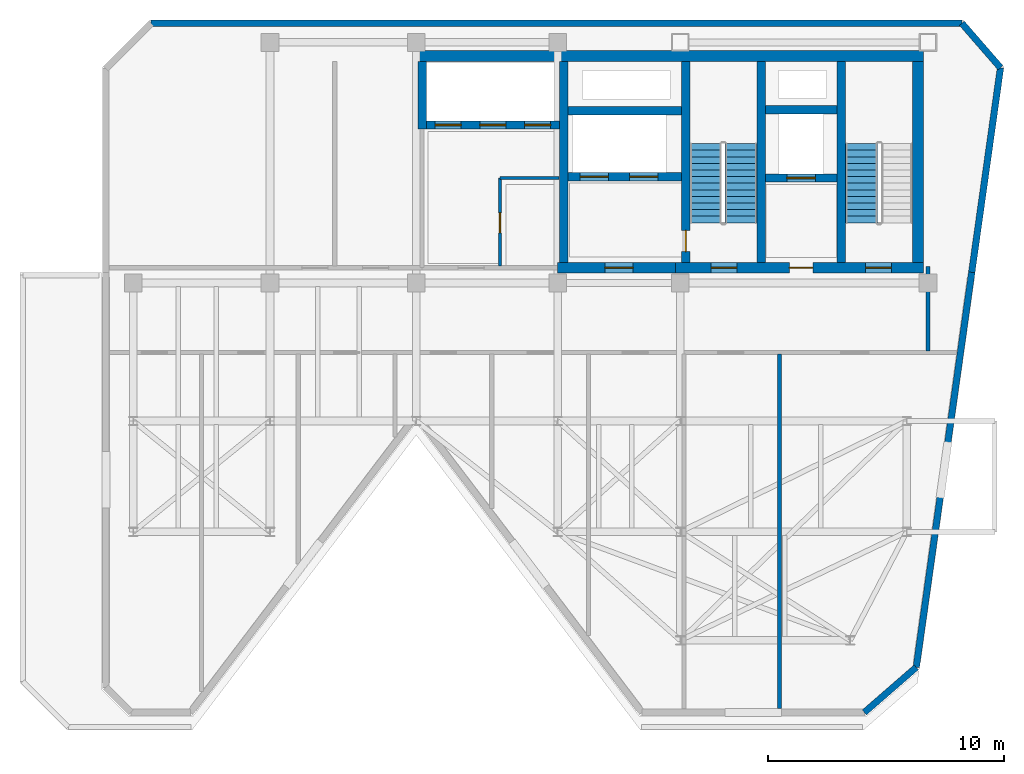
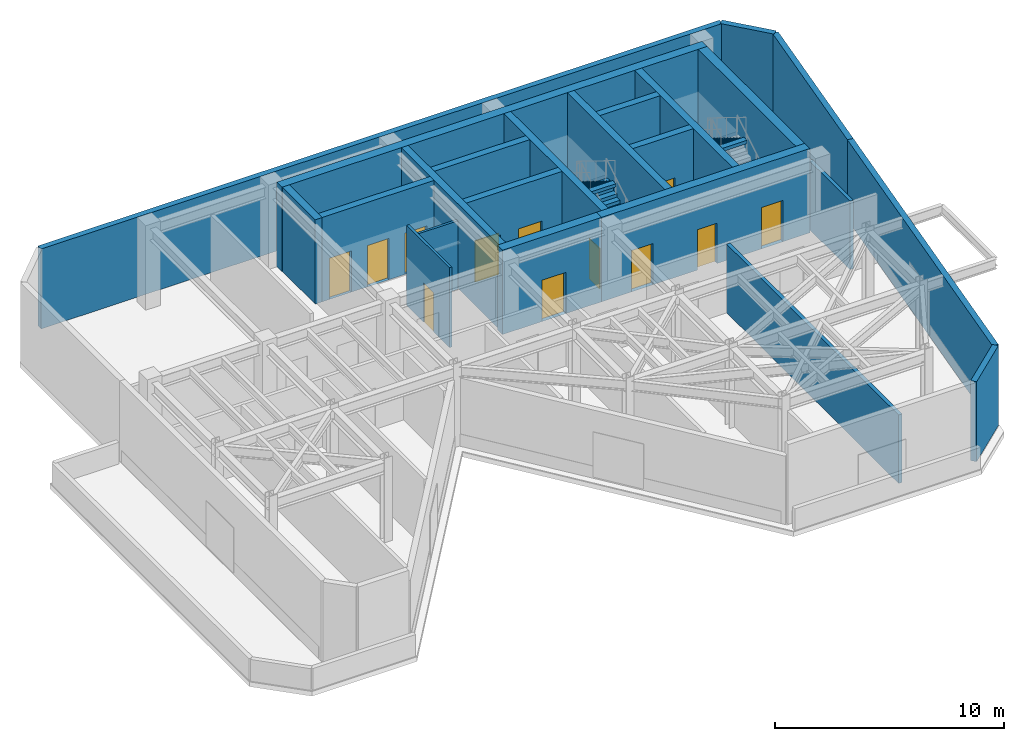
# One storey, part 3 of 6: 23 walls, 12 doors, 3 stair flights, 12 openings, 2 elements without a shape of their own.
"""IFC4 building model written with IfcOpenShell, lengths in metres."""

from ifc_helpers import new_model, si_unit, direction, frame, frame_2d, origin, place, context, subcontext, project, spatial, polyline, rectangle, outline, extrude, material, layer, layer_set, type_object, element, fill, aggregate, save


model = new_model("IFC4")

# Units and contexts
model_context = context("Model", 3, precision=1e-05, world=origin(), true_north=direction((0.0, 1.0)))
body_context = subcontext(model_context, "Body", "Model", "MODEL_VIEW")
ifc_project = project(units=[si_unit("LENGTHUNIT", "METRE"), si_unit("AREAUNIT", "SQUARE_METRE"), si_unit("VOLUMEUNIT", "CUBIC_METRE"), si_unit("PLANEANGLEUNIT", "RADIAN"), si_unit("MASSUNIT", "GRAM", prefix="KILO")], contexts=[model_context])

# Site, building, storey
site_placement = place(None, origin())
site = spatial("IfcSite", under=ifc_project, at=site_placement, CompositionType="ELEMENT")
building_placement = place(site_placement, origin())
building = spatial("IfcBuilding", under=site, at=building_placement, Name="Kravanh Interchange Tower", CompositionType="ELEMENT")
storey_placement = place(building_placement, frame((0.0, 0.0, 277.800048828125)))
storey = spatial("IfcBuildingStorey", under=building, at=storey_placement, Name="L68", CompositionType="ELEMENT", Elevation=277.800048828125)

# Wall, opening, door
ifc_material_1 = material(Name="Double Acoustic Gypsum Board and Mineral Wool")
ifc_layer_1 = layer(ifc_material_1, 0.1201171875)
ifc_layer_set_1 = layer_set([ifc_layer_1], Name="Acoustic Office Drywall Partition 120mm")
wall_type_1 = type_object("IfcWallType", Name="Acoustic Office Drywall Partition 120mm", PredefinedType="PARTITIONING", material=ifc_layer_set_1)
wall_1_placement = place(storey_placement, frame((48.35009765625, 38.068115234375, 0.0), z_axis=(0.0, 0.0, 1.0), x_axis=(0.0, 1.0, 0.0)))
wall_1 = element("IfcWall", 1, at=wall_1_placement, inside=storey, type_object=wall_type_1, Name="L68 Interior Partition 2", PredefinedType="PARTITIONING", context=body_context, shape_type="SweptSolid", body=[
    extrude(rectangle(XDim=3.73193359375, YDim=0.1201171875, at=frame_2d((1.865966796875, 0.0))), origin(), (0.0, 0.0, 1.0), 4.264892578125),
])
opening_1_placement = place(wall_1_placement, frame((1.406982421875, 0.0, 0.0)))
opening_1 = element("IfcOpeningElement", 2, at=opening_1_placement, cuts=wall_1, Name="Opening D-85", PredefinedType="OPENING", context=body_context, shape_type="SweptSolid", body=[
    extrude(rectangle(XDim=0.85009765625, YDim=2.10009765625, at=frame_2d((0.425048828125, 1.050048828125))), frame((0.0, 0.070068359375, 0.0), z_axis=(0.0, -1.0, 0.0), x_axis=(1.0, 0.0, 0.0)), (0.0, 0.0, 1.0), 0.14013671875),
])
ifc_material_2 = material(Name="Engineered Teak Veneer Timber", Category="wood")
door_type_1 = type_object("IfcDoorType", Name="En-Suite Timber Door 850x2100", OperationType="NOTDEFINED", PredefinedType="DOOR", material=ifc_material_2)
door_1_placement = place(opening_1_placement, origin())
door_1 = element("IfcDoor", 3, at=door_1_placement, inside=storey, type_object=door_type_1, Name="L68 Core Electrical Closet Door", OperationType="SINGLE_SWING_RIGHT", OverallHeight=2.10009765625, OverallWidth=0.85009765625, PredefinedType="DOOR", context=body_context, shape_type="SweptSolid", body=[
    extrude(rectangle(XDim=0.85009765625, YDim=2.10009765625, at=frame_2d((0.425048828125, 1.050048828125))), frame((0.0, 0.02490234375, 0.0), z_axis=(0.0, -1.0, 0.0), x_axis=(1.0, 0.0, 0.0)), (0.0, 0.0, 1.0), 0.050048828125),
])
fill(opening_1, door_1)

# Walls
wall_2_placement = place(storey_placement, frame((48.35009765625, 41.800048828125, 0.0), z_axis=(0.0, 0.0, 1.0), x_axis=(1.0, 0.0, 0.0)))
element("IfcWall", 4, at=wall_2_placement, inside=storey, type_object=wall_type_1, Name="L68 Interior Partition 3", PredefinedType="PARTITIONING", context=body_context, shape_type="SweptSolid", body=[
    extrude(rectangle(XDim=2.5, YDim=0.1201171875, at=frame_2d((1.25, 0.0))), origin(), (0.0, 0.0, 1.0), 3.654052734375),
])
ifc_material_3 = material(Name="Concrete C60/75", Category="concrete")
ifc_layer_2 = layer(ifc_material_3, 0.35009765625)
ifc_layer_set_2 = layer_set([ifc_layer_2], Name="Core Shear Wall Concrete C60/75 350mm")
wall_type_2 = type_object("IfcWallType", Name="Core Shear Wall Concrete C60/75 350mm", PredefinedType="SHEAR", material=ifc_layer_set_2)
for number, where, z_axis, x_axis, name in (
    (5, (62.824951171875, 38.22509765625, 0.0), (0.0, 0.0, 1.0), (0.0, 1.0, 0.0), "L68 Stair ST1 West Shear Wall"),
    (6, (59.425048828125, 38.22509765625, 0.0), (0.0, 0.0, 1.0), (0.0, 1.0, 0.0), "L68 Stair ST2 East Shear Wall"),
):
    element("IfcWall", number, at=place(storey_placement, frame(where, z_axis=z_axis, x_axis=x_axis)), inside=storey, type_object=wall_type_2, Name=name, PredefinedType="SHEAR", context=body_context, shape_type="SweptSolid", body=[
        extrude(rectangle(XDim=8.52490234375, YDim=0.35009765625, at=frame_2d((4.262451171875, 0.0))), origin(), (0.0, 0.0, 1.0), 4.5),
    ])

# Wall, opening, door
wall_3_placement = place(storey_placement, frame((56.22509765625, 38.22509765625, 0.0), z_axis=(0.0, 0.0, 1.0), x_axis=(0.0, 1.0, 0.0)))
wall_3 = element("IfcWall", 7, at=wall_3_placement, inside=storey, type_object=wall_type_2, Name="L68 Stair ST2 West Shear Wall", PredefinedType="SHEAR", context=body_context, shape_type="SweptSolid", body=[
    extrude(rectangle(XDim=8.52490234375, YDim=0.35009765625, at=frame_2d((4.262451171875, 0.0))), origin(), (0.0, 0.0, 1.0), 4.5),
])
opening_2_placement = place(wall_3_placement, frame((0.455078125, 0.0, 0.0)))
opening_2 = element("IfcOpeningElement", 8, at=opening_2_placement, cuts=wall_3, Name="Opening D-STAIR-90", PredefinedType="OPENING", context=body_context, shape_type="SweptSolid", body=[
    extrude(rectangle(XDim=0.89990234375, YDim=2.14990234375, at=frame_2d((0.449951171875, 1.074951171875))), frame((0.0, 0.18505859375, 0.0), z_axis=(0.0, -1.0, 0.0), x_axis=(1.0, 0.0, 0.0)), (0.0, 0.0, 1.0), 0.3701171875),
])
ifc_material_4 = material(Name="Structural Steel S355", Category="steel")
door_type_2 = type_object("IfcDoorType", Name="Fire-Rated Stair Lobby Door 900x2150", OperationType="NOTDEFINED", PredefinedType="DOOR", material=ifc_material_4)
door_2_placement = place(opening_2_placement, origin())
door_2 = element("IfcDoor", 9, at=door_2_placement, inside=storey, type_object=door_type_2, Name="L68 Firefighting Lobby to Stair ST2 Door", OperationType="SINGLE_SWING_LEFT", OverallHeight=2.14990234375, OverallWidth=0.89990234375, PredefinedType="DOOR", context=body_context, shape_type="SweptSolid", body=[
    extrude(rectangle(XDim=0.89990234375, YDim=2.14990234375, at=frame_2d((0.449951171875, 1.074951171875))), frame((0.0, 0.02490234375, 0.0), z_axis=(0.0, -1.0, 0.0), x_axis=(1.0, 0.0, 0.0)), (0.0, 0.0, 1.0), 0.050048828125),
])
fill(opening_2, door_2)

wall_4_placement = place(storey_placement, frame((59.60009765625, 41.800048828125, 0.0), z_axis=(0.0, 0.0, 1.0), x_axis=(1.0, 0.0, 0.0)))
wall_4 = element("IfcWall", 10, at=wall_4_placement, inside=storey, type_object=wall_type_2, Name="L68 Service Lift Shaft South Wall", PredefinedType="SHEAR", context=body_context, shape_type="SweptSolid", body=[
    extrude(rectangle(XDim=3.0498046875, YDim=0.35009765625, at=frame_2d((1.52490234375, 0.0))), origin(), (0.0, 0.0, 1.0), 4.5),
])
opening_3_placement = place(wall_4_placement, frame((0.919921875, 0.0, 0.0)))
opening_3 = element("IfcOpeningElement", 11, at=opening_3_placement, cuts=wall_4, Name="Opening LD02", PredefinedType="OPENING", context=body_context, shape_type="SweptSolid", body=[
    extrude(rectangle(XDim=1.199951171875, YDim=2.199951171875, at=frame_2d((0.60009765625, 1.10009765625))), frame((0.0, 0.18505859375, 0.0), z_axis=(0.0, -1.0, 0.0), x_axis=(1.0, 0.0, 0.0)), (0.0, 0.0, 1.0), 0.3701171875),
])
ifc_material_5 = material(Name="Stainless Steel 316", Category="steel")
door_type_3 = type_object("IfcDoorType", Name="Fire and Service Lift Sliding Landing Door 1200x2200", OperationType="DOUBLE_DOOR_SLIDING", PredefinedType="DOOR", material=ifc_material_5)
door_3_placement = place(opening_3_placement, origin())
door_3 = element("IfcDoor", 12, at=door_3_placement, inside=storey, type_object=door_type_3, Name="L68 Lift LS-01 Landing Door", OperationType="DOUBLE_DOOR_SLIDING", OverallHeight=2.199951171875, OverallWidth=1.199951171875, PredefinedType="DOOR", context=body_context, shape_type="SweptSolid", body=[
    extrude(rectangle(XDim=1.199951171875, YDim=2.199951171875, at=frame_2d((0.60009765625, 1.10009765625))), frame((0.0, 0.02490234375, 0.0), z_axis=(0.0, -1.0, 0.0), x_axis=(1.0, 0.0, 0.0)), (0.0, 0.0, 1.0), 0.050048828125),
])
fill(opening_3, door_3)

# Wall
wall_5_placement = place(storey_placement, frame((59.60009765625, 44.699951171875, 0.0), z_axis=(0.0, 0.0, 1.0), x_axis=(1.0, 0.0, 0.0)))
element("IfcWall", 13, at=wall_5_placement, inside=storey, type_object=wall_type_2, Name="L68 Service Lift Shaft North Wall", PredefinedType="SHEAR", context=body_context, shape_type="SweptSolid", body=[
    extrude(rectangle(XDim=3.0498046875, YDim=0.35009765625, at=frame_2d((1.52490234375, 0.0))), origin(), (0.0, 0.0, 1.0), 4.5),
])

# Wall, openings, doors
wall_6_placement = place(storey_placement, frame((51.22509765625, 41.85009765625, 0.0), z_axis=(0.0, 0.0, 1.0), x_axis=(1.0, 0.0, 0.0)))
wall_6 = element("IfcWall", 14, at=wall_6_placement, inside=storey, type_object=wall_type_2, Name="L68 Fire Lift Shaft South Wall", PredefinedType="SHEAR", context=body_context, shape_type="SweptSolid", body=[
    extrude(rectangle(XDim=4.824951171875, YDim=0.35009765625, at=frame_2d((2.41259765625, 0.0))), origin(), (0.0, 0.0, 1.0), 4.5),
])
opening_4_placement = place(wall_6_placement, frame((0.52490234375, 0.0, 0.0)))
opening_4 = element("IfcOpeningElement", 15, at=opening_4_placement, cuts=wall_6, Name="Opening LD02", PredefinedType="OPENING", context=body_context, shape_type="SweptSolid", body=[
    extrude(rectangle(XDim=1.199951171875, YDim=2.199951171875, at=frame_2d((0.60009765625, 1.10009765625))), frame((0.0, 0.18505859375, 0.0), z_axis=(0.0, -1.0, 0.0), x_axis=(1.0, 0.0, 0.0)), (0.0, 0.0, 1.0), 0.3701171875),
])
opening_5_placement = place(wall_6_placement, frame((2.625, 0.0, 0.0)))
opening_5 = element("IfcOpeningElement", 16, at=opening_5_placement, cuts=wall_6, Name="Opening LD02", PredefinedType="OPENING", context=body_context, shape_type="SweptSolid", body=[
    extrude(rectangle(XDim=1.199951171875, YDim=2.199951171875, at=frame_2d((0.60009765625, 1.10009765625))), frame((0.0, 0.18505859375, 0.0), z_axis=(0.0, -1.0, 0.0), x_axis=(1.0, 0.0, 0.0)), (0.0, 0.0, 1.0), 0.3701171875),
])
door_4_placement = place(opening_4_placement, origin())
door_4 = element("IfcDoor", 17, at=door_4_placement, inside=storey, type_object=door_type_3, Name="L68 Lift FSAE-01 Landing Door", OperationType="DOUBLE_DOOR_SLIDING", OverallHeight=2.199951171875, OverallWidth=1.199951171875, PredefinedType="DOOR", context=body_context, shape_type="SweptSolid", body=[
    extrude(rectangle(XDim=1.199951171875, YDim=2.199951171875, at=frame_2d((0.60009765625, 1.10009765625))), frame((0.0, 0.02490234375, 0.0), z_axis=(0.0, -1.0, 0.0), x_axis=(1.0, 0.0, 0.0)), (0.0, 0.0, 1.0), 0.050048828125),
])
fill(opening_4, door_4)
door_5_placement = place(opening_5_placement, origin())
door_5 = element("IfcDoor", 18, at=door_5_placement, inside=storey, type_object=door_type_3, Name="L68 Lift FSAE-02 Landing Door", OperationType="DOUBLE_DOOR_SLIDING", OverallHeight=2.199951171875, OverallWidth=1.199951171875, PredefinedType="DOOR", context=body_context, shape_type="SweptSolid", body=[
    extrude(rectangle(XDim=1.199951171875, YDim=2.199951171875, at=frame_2d((0.60009765625, 1.10009765625))), frame((0.0, 0.02490234375, 0.0), z_axis=(0.0, -1.0, 0.0), x_axis=(1.0, 0.0, 0.0)), (0.0, 0.0, 1.0), 0.050048828125),
])
fill(opening_5, door_5)

# Walls
wall_7_placement = place(storey_placement, frame((51.22509765625, 44.64990234375, 0.0), z_axis=(0.0, 0.0, 1.0), x_axis=(1.0, 0.0, 0.0)))
element("IfcWall", 19, at=wall_7_placement, inside=storey, type_object=wall_type_2, Name="L68 Fire Lift Shaft North Wall", PredefinedType="SHEAR", context=body_context, shape_type="SweptSolid", body=[
    extrude(rectangle(XDim=4.824951171875, YDim=0.35009765625, at=frame_2d((2.41259765625, 0.0))), origin(), (0.0, 0.0, 1.0), 4.5),
])
wall_8_placement = place(storey_placement, frame((51.050048828125, 38.22509765625, 0.0), z_axis=(0.0, 0.0, 1.0), x_axis=(0.0, 1.0, 0.0)))
element("IfcWall", 20, at=wall_8_placement, inside=storey, type_object=wall_type_2, Name="L68 Firefighting Lobby West Wall", PredefinedType="SHEAR", context=body_context, shape_type="SweptSolid", body=[
    extrude(rectangle(XDim=8.52490234375, YDim=0.35009765625, at=frame_2d((4.262451171875, 0.0))), origin(), (0.0, 0.0, 1.0), 4.5),
])

# Wall, openings, doors
wall_9_placement = place(storey_placement, frame((45.22509765625, 44.050048828125, 0.0), z_axis=(0.0, 0.0, 1.0), x_axis=(1.0, 0.0, 0.0)))
wall_9 = element("IfcWall", 21, at=wall_9_placement, inside=storey, type_object=wall_type_2, Name="L68 High-Rise Lift Shaft South Wall", PredefinedType="SHEAR", context=body_context, shape_type="SweptSolid", body=[
    extrude(rectangle(XDim=5.64990234375, YDim=0.35009765625, at=frame_2d((2.824951171875, 0.0))), origin(), (0.0, 0.0, 1.0), 4.5),
])
opening_6_placement = place(wall_9_placement, frame((0.375, 0.0, 0.0)))
opening_6 = element("IfcOpeningElement", 22, at=opening_6_placement, cuts=wall_9, Name="Opening LD01", PredefinedType="OPENING", context=body_context, shape_type="SweptSolid", body=[
    extrude(rectangle(XDim=1.10009765625, YDim=2.199951171875, at=frame_2d((0.550048828125, 1.10009765625))), frame((0.0, 0.18505859375, 0.0), z_axis=(0.0, -1.0, 0.0), x_axis=(1.0, 0.0, 0.0)), (0.0, 0.0, 1.0), 0.3701171875),
])
opening_7_placement = place(wall_9_placement, frame((2.27490234375, 0.0, 0.0)))
opening_7 = element("IfcOpeningElement", 23, at=opening_7_placement, cuts=wall_9, Name="Opening LD01", PredefinedType="OPENING", context=body_context, shape_type="SweptSolid", body=[
    extrude(rectangle(XDim=1.10009765625, YDim=2.199951171875, at=frame_2d((0.550048828125, 1.10009765625))), frame((0.0, 0.18505859375, 0.0), z_axis=(0.0, -1.0, 0.0), x_axis=(1.0, 0.0, 0.0)), (0.0, 0.0, 1.0), 0.3701171875),
])
opening_8_placement = place(wall_9_placement, frame((4.175048828125, 0.0, 0.0)))
opening_8 = element("IfcOpeningElement", 24, at=opening_8_placement, cuts=wall_9, Name="Opening LD01", PredefinedType="OPENING", context=body_context, shape_type="SweptSolid", body=[
    extrude(rectangle(XDim=1.10009765625, YDim=2.199951171875, at=frame_2d((0.550048828125, 1.10009765625))), frame((0.0, 0.18505859375, 0.0), z_axis=(0.0, -1.0, 0.0), x_axis=(1.0, 0.0, 0.0)), (0.0, 0.0, 1.0), 0.3701171875),
])
ifc_material_6 = material(Name="Stainless Steel 304", Category="steel")
door_type_4 = type_object("IfcDoorType", Name="Passenger Lift Sliding Landing Door 1100x2200", OperationType="DOUBLE_DOOR_SLIDING", PredefinedType="DOOR", material=ifc_material_6)
door_6_placement = place(opening_6_placement, origin())
door_6 = element("IfcDoor", 25, at=door_6_placement, inside=storey, type_object=door_type_4, Name="L68 Lift LP-H1 Landing Door", OperationType="DOUBLE_DOOR_SLIDING", OverallHeight=2.199951171875, OverallWidth=1.10009765625, PredefinedType="DOOR", context=body_context, shape_type="SweptSolid", body=[
    extrude(rectangle(XDim=1.10009765625, YDim=2.199951171875, at=frame_2d((0.550048828125, 1.10009765625))), frame((0.0, 0.02490234375, 0.0), z_axis=(0.0, -1.0, 0.0), x_axis=(1.0, 0.0, 0.0)), (0.0, 0.0, 1.0), 0.050048828125),
])
fill(opening_6, door_6)
door_7_placement = place(opening_7_placement, origin())
door_7 = element("IfcDoor", 26, at=door_7_placement, inside=storey, type_object=door_type_4, Name="L68 Lift LP-H2 Landing Door", OperationType="DOUBLE_DOOR_SLIDING", OverallHeight=2.199951171875, OverallWidth=1.10009765625, PredefinedType="DOOR", context=body_context, shape_type="SweptSolid", body=[
    extrude(rectangle(XDim=1.10009765625, YDim=2.199951171875, at=frame_2d((0.550048828125, 1.10009765625))), frame((0.0, 0.02490234375, 0.0), z_axis=(0.0, -1.0, 0.0), x_axis=(1.0, 0.0, 0.0)), (0.0, 0.0, 1.0), 0.050048828125),
])
fill(opening_7, door_7)
door_8_placement = place(opening_8_placement, origin())
door_8 = element("IfcDoor", 27, at=door_8_placement, inside=storey, type_object=door_type_4, Name="L68 Lift LP-H3 Landing Door", OperationType="DOUBLE_DOOR_SLIDING", OverallHeight=2.199951171875, OverallWidth=1.10009765625, PredefinedType="DOOR", context=body_context, shape_type="SweptSolid", body=[
    extrude(rectangle(XDim=1.10009765625, YDim=2.199951171875, at=frame_2d((0.550048828125, 1.10009765625))), frame((0.0, 0.02490234375, 0.0), z_axis=(0.0, -1.0, 0.0), x_axis=(1.0, 0.0, 0.0)), (0.0, 0.0, 1.0), 0.050048828125),
])
fill(opening_8, door_8)

# Walls
wall_10_placement = place(storey_placement, frame((45.050048828125, 43.875, 0.0), z_axis=(0.0, 0.0, 1.0), x_axis=(0.0, 1.0, 0.0)))
element("IfcWall", 28, at=wall_10_placement, inside=storey, type_object=wall_type_2, Name="L68 High-Rise Lift Shaft West Wall", PredefinedType="SHEAR", context=body_context, shape_type="SweptSolid", body=[
    extrude(rectangle(XDim=2.875, YDim=0.35009765625, at=frame_2d((1.4375, 0.0))), origin(), (0.0, 0.0, 1.0), 4.5),
])
ifc_material_7 = material(Name="Concrete C60/75", Category="concrete")
ifc_layer_3 = layer(ifc_material_7, 0.449951171875)
ifc_layer_set_3 = layer_set([ifc_layer_3], Name="Core Shear Wall Concrete C60/75 450mm")
wall_type_3 = type_object("IfcWallType", Name="Core Shear Wall Concrete C60/75 450mm", PredefinedType="SHEAR", material=ifc_layer_set_3)
wall_11_placement = place(storey_placement, frame((44.85009765625, 46.97509765625, 0.0), z_axis=(0.0, 0.0, 1.0), x_axis=(1.0, 0.0, 0.0)))
element("IfcWall", 29, at=wall_11_placement, inside=storey, type_object=wall_type_3, Name="L68 North Core Shear Wall", PredefinedType="SHEAR", context=body_context, shape_type="SweptSolid", body=[
    extrude(rectangle(XDim=21.449951171875, YDim=0.449951171875, at=frame_2d((10.72509765625, 0.0))), origin(), (0.0, 0.0, 1.0), 4.5),
])

# Wall, openings, doors
wall_12_placement = place(storey_placement, frame((55.800048828125, 38.0, 0.0), z_axis=(0.0, 0.0, 1.0), x_axis=(1.0, 0.0, 0.0)))
wall_12 = element("IfcWall", 30, at=wall_12_placement, inside=storey, type_object=wall_type_3, Name="L68 East Core South Shear Wall", PredefinedType="SHEAR", context=body_context, shape_type="SweptSolid", body=[
    extrude(rectangle(XDim=10.5, YDim=0.449951171875, at=frame_2d((5.25, 0.0))), origin(), (0.0, 0.0, 1.0), 4.5),
])
opening_9_placement = place(wall_12_placement, frame((1.5, 0.0, 0.0)))
opening_9 = element("IfcOpeningElement", 31, at=opening_9_placement, cuts=wall_12, Name="Opening D-STAIR-110", PredefinedType="OPENING", context=body_context, shape_type="SweptSolid", body=[
    extrude(rectangle(XDim=1.10009765625, YDim=2.199951171875, at=frame_2d((0.550048828125, 1.10009765625))), frame((0.0, 0.23486328125, 0.0), z_axis=(0.0, -1.0, 0.0), x_axis=(1.0, 0.0, 0.0)), (0.0, 0.0, 1.0), 0.469970703125),
])
opening_10_placement = place(wall_12_placement, frame((4.820068359375, 0.0, 0.0)))
opening_10 = element("IfcOpeningElement", 32, at=opening_10_placement, cuts=wall_12, Name="Opening D-HOTEL-100", PredefinedType="OPENING", context=body_context, shape_type="SweptSolid", body=[
    extrude(rectangle(XDim=1.0, YDim=2.14990234375, at=frame_2d((0.5, 1.074951171875))), frame((0.0, 0.23486328125, 0.0), z_axis=(0.0, -1.0, 0.0), x_axis=(1.0, 0.0, 0.0)), (0.0, 0.0, 1.0), 0.469970703125),
])
opening_11_placement = place(wall_12_placement, frame((8.050048828125, 0.0, 0.0)))
opening_11 = element("IfcOpeningElement", 33, at=opening_11_placement, cuts=wall_12, Name="Opening D-STAIR-110", PredefinedType="OPENING", context=body_context, shape_type="SweptSolid", body=[
    extrude(rectangle(XDim=1.10009765625, YDim=2.199951171875, at=frame_2d((0.550048828125, 1.10009765625))), frame((0.0, 0.23486328125, 0.0), z_axis=(0.0, -1.0, 0.0), x_axis=(1.0, 0.0, 0.0)), (0.0, 0.0, 1.0), 0.469970703125),
])
ifc_material_8 = material(Name="Structural Steel S355", Category="steel")
door_type_5 = type_object("IfcDoorType", Name="Fire-Rated Exit Stair Door 1100x2200", OperationType="NOTDEFINED", PredefinedType="DOOR", material=ifc_material_8)
door_9_placement = place(opening_9_placement, origin())
door_9 = element("IfcDoor", 34, at=door_9_placement, inside=storey, type_object=door_type_5, Name="L68 Exit Stair ST2 Door", OperationType="SINGLE_SWING_RIGHT", OverallHeight=2.199951171875, OverallWidth=1.10009765625, PredefinedType="DOOR", context=body_context, shape_type="SweptSolid", body=[
    extrude(rectangle(XDim=1.10009765625, YDim=2.199951171875, at=frame_2d((0.550048828125, 1.10009765625))), frame((0.0, 0.02490234375, 0.0), z_axis=(0.0, -1.0, 0.0), x_axis=(1.0, 0.0, 0.0)), (0.0, 0.0, 1.0), 0.050048828125),
])
fill(opening_9, door_9)
door_10_placement = place(opening_11_placement, origin())
door_10 = element("IfcDoor", 35, at=door_10_placement, inside=storey, type_object=door_type_5, Name="L68 Exit Stair ST1 Door", OperationType="SINGLE_SWING_RIGHT", OverallHeight=2.199951171875, OverallWidth=1.10009765625, PredefinedType="DOOR", context=body_context, shape_type="SweptSolid", body=[
    extrude(rectangle(XDim=1.10009765625, YDim=2.199951171875, at=frame_2d((0.550048828125, 1.10009765625))), frame((0.0, 0.02490234375, 0.0), z_axis=(0.0, -1.0, 0.0), x_axis=(1.0, 0.0, 0.0)), (0.0, 0.0, 1.0), 0.050048828125),
])
fill(opening_11, door_10)
ifc_material_9 = material(Name="Fire-Rated Solid Timber Leaf", Category="wood")
door_type_6 = type_object("IfcDoorType", Name="Fire-Rated Suite Entrance Door 1000x2150", OperationType="NOTDEFINED", PredefinedType="DOOR", material=ifc_material_9)
door_11_placement = place(opening_10_placement, origin())
door_11 = element("IfcDoor", 36, at=door_11_placement, inside=storey, type_object=door_type_6, Name="L68 Service Lift Lobby Door", OperationType="SINGLE_SWING_RIGHT", OverallHeight=2.14990234375, OverallWidth=1.0, PredefinedType="DOOR", context=body_context, shape_type="SweptSolid", body=[
    extrude(rectangle(XDim=1.0, YDim=2.14990234375, at=frame_2d((0.5, 1.074951171875))), frame((0.0, 0.02490234375, 0.0), z_axis=(0.0, -1.0, 0.0), x_axis=(1.0, 0.0, 0.0)), (0.0, 0.0, 1.0), 0.050048828125),
])
fill(opening_10, door_11)

# Wall
wall_13_placement = place(storey_placement, frame((66.074951171875, 38.22509765625, 0.0), z_axis=(0.0, 0.0, 1.0), x_axis=(0.0, 1.0, 0.0)))
element("IfcWall", 37, at=wall_13_placement, inside=storey, type_object=wall_type_3, Name="L68 Stair ST1 East Shear Wall", PredefinedType="SHEAR", context=body_context, shape_type="SweptSolid", body=[
    extrude(rectangle(XDim=8.52490234375, YDim=0.449951171875, at=frame_2d((4.262451171875, 0.0))), origin(), (0.0, 0.0, 1.0), 4.5),
])

# Wall, opening, door
wall_14_placement = place(storey_placement, frame((50.800048828125, 38.0, 0.0), z_axis=(0.0, 0.0, 1.0), x_axis=(1.0, 0.0, 0.0)))
wall_14 = element("IfcWall", 38, at=wall_14_placement, inside=storey, type_object=wall_type_3, Name="L68 Firefighting Lobby South Shear Wall", PredefinedType="SHEAR", context=body_context, shape_type="SweptSolid", body=[
    extrude(rectangle(XDim=5.0, YDim=0.449951171875, at=frame_2d((2.5, 0.0))), origin(), (0.0, 0.0, 1.0), 4.5),
])
opening_12_placement = place(wall_14_placement, frame((2.0, 0.0, 0.0)))
opening_12 = element("IfcOpeningElement", 39, at=opening_12_placement, cuts=wall_14, Name="Opening D-FSAE-120", PredefinedType="OPENING", context=body_context, shape_type="SweptSolid", body=[
    extrude(rectangle(XDim=1.199951171875, YDim=2.199951171875, at=frame_2d((0.60009765625, 1.10009765625))), frame((0.0, 0.23486328125, 0.0), z_axis=(0.0, -1.0, 0.0), x_axis=(1.0, 0.0, 0.0)), (0.0, 0.0, 1.0), 0.469970703125),
])
ifc_material_10 = material(Name="Structural Steel S355", Category="steel")
door_type_7 = type_object("IfcDoorType", Name="Fire-Rated Refuge and FSAE Door 1200x2200", OperationType="NOTDEFINED", PredefinedType="DOOR", material=ifc_material_10)
door_12_placement = place(opening_12_placement, origin())
door_12 = element("IfcDoor", 40, at=door_12_placement, inside=storey, type_object=door_type_7, Name="L68 Firefighting Lobby Corridor Door", OperationType="SINGLE_SWING_RIGHT", OverallHeight=2.199951171875, OverallWidth=1.199951171875, PredefinedType="DOOR", context=body_context, shape_type="SweptSolid", body=[
    extrude(rectangle(XDim=1.199951171875, YDim=2.199951171875, at=frame_2d((0.60009765625, 1.10009765625))), frame((0.0, 0.02490234375, 0.0), z_axis=(0.0, -1.0, 0.0), x_axis=(1.0, 0.0, 0.0)), (0.0, 0.0, 1.0), 0.050048828125),
])
fill(opening_12, door_12)

# Walls
ifc_material_11 = material(Name="Insulated Precast Concrete C40/50 with Bronze Cladding", Category="concrete")
ifc_layer_4 = layer(ifc_material_11, 0.280029296875)
ifc_layer_set_4 = layer_set([ifc_layer_4], Name="Exterior Insulated Concrete C40/50 Bronze Spandrel Wall 280mm")
wall_type_4 = type_object("IfcWallType", Name="Exterior Insulated Concrete C40/50 Bronze Spandrel Wall 280mm", PredefinedType="STANDARD", material=ifc_layer_set_4)
wall_15_placement = place(storey_placement, frame((33.55810546875, 48.360107421875, 0.0), z_axis=(0.0, 0.0, 1.0), x_axis=(1.0, 0.0, 0.0)))
element("IfcWall", 41, at=wall_15_placement, inside=storey, type_object=wall_type_4, Name="L68 Exterior Enclosure Wall 4", PredefinedType="STANDARD", context=body_context, shape_type="SweptSolid", body=[
    extrude(rectangle(XDim=34.378173828125, YDim=0.280029296875, at=frame_2d((17.18896484375, 0.0))), origin(), (0.0, 0.0, 1.0), 4.264892578125),
])
wall_16_placement = place(storey_placement, frame((67.936279296875, 48.360107421875, 0.0), z_axis=(0.0, 0.0, 1.0), x_axis=(0.656050393402, -0.754717086939, 0.0)))
element("IfcWall", 42, at=wall_16_placement, inside=storey, type_object=wall_type_4, Name="L68 Exterior Enclosure Wall 5", PredefinedType="STANDARD", context=body_context, shape_type="SweptSolid", body=[
    extrude(rectangle(XDim=2.49658203125, YDim=0.280029296875, at=frame_2d((1.248291015625, 0.0))), origin(), (0.0, 0.0, 1.0), 4.264892578125),
])
wall_17_placement = place(storey_placement, frame((69.57421875, 46.475830078125, 0.0), z_axis=(0.0, 0.0, 1.0), x_axis=(-0.139166020505, -0.990269063809, 0.0)))
element("IfcWall", 43, at=wall_17_placement, inside=storey, type_object=wall_type_4, Name="L68 Exterior Enclosure Wall 6", PredefinedType="STANDARD", context=body_context, shape_type="SweptSolid", body=[
    extrude(rectangle(XDim=8.760986328125, YDim=0.280029296875, at=frame_2d((4.38037109375, 0.0))), origin(), (0.0, 0.0, 1.0), 4.264892578125),
])
wall_18_placement = place(storey_placement, frame((68.35498046875, 37.800048828125, 0.0), z_axis=(0.0, 0.0, 1.0), x_axis=(-0.139183833681, -0.990266560297, 0.0)))
element("IfcWall", 44, at=wall_18_placement, inside=storey, type_object=wall_type_4, Name="L68 Exterior Enclosure Wall 7", PredefinedType="STANDARD", context=body_context, shape_type="SweptSolid", body=[
    extrude(rectangle(XDim=16.912841796875, YDim=0.280029296875, at=frame_2d((8.45654296875, 0.0))), origin(), (0.0, 0.0, 1.0), 4.264892578125),
])
wall_19_placement = place(storey_placement, frame((66.0009765625, 21.0517578125, 0.0), z_axis=(0.0, 0.0, 1.0), x_axis=(-0.754690287885, -0.656081221628, 0.0)))
element("IfcWall", 45, at=wall_19_placement, inside=storey, type_object=wall_type_4, Name="L68 Exterior Enclosure Wall 8", PredefinedType="STANDARD", context=body_context, shape_type="SweptSolid", body=[
    extrude(rectangle(XDim=2.9140625, YDim=0.280029296875, at=frame_2d((1.45703125, 0.0))), origin(), (0.0, 0.0, 1.0), 4.264892578125),
])
ifc_material_12 = material(Name="Autoclaved Aerated Concrete C30/37 Blockwork", Category="masonry")
ifc_layer_5 = layer(ifc_material_12, 0.179931640625)
ifc_layer_set_5 = layer_set([ifc_layer_5], Name="Fire-Rated Lobby and Corridor Wall Concrete C30/37 180mm")
wall_type_5 = type_object("IfcWallType", Name="Fire-Rated Lobby and Corridor Wall Concrete C30/37 180mm", PredefinedType="STANDARD", material=ifc_layer_set_5)
wall_20_placement = place(storey_placement, frame((66.5, 34.468017578125, 0.0), z_axis=(0.0, 0.0, 1.0), x_axis=(0.0, 1.0, 0.0)))
element("IfcWall", 46, at=wall_20_placement, inside=storey, type_object=wall_type_5, Name="L68 Interior Partition 9", PredefinedType="STANDARD", context=body_context, shape_type="SweptSolid", body=[
    extrude(rectangle(XDim=3.58203125, YDim=0.179931640625, at=frame_2d((1.791015625, 0.0))), origin(), (0.0, 0.0, 1.0), 3.654052734375),
])
wall_21_placement = place(storey_placement, frame((60.199951171875, 19.304931640625, 0.0), z_axis=(0.0, 0.0, 1.0), x_axis=(0.0, 1.0, 0.0)))
element("IfcWall", 47, at=wall_21_placement, inside=storey, type_object=wall_type_5, Name="L68 Interior Partition 10", PredefinedType="STANDARD", context=body_context, shape_type="SweptSolid", body=[
    extrude(rectangle(XDim=15.027099609375, YDim=0.179931640625, at=frame_2d((7.513671875, 0.0))), origin(), (0.0, 0.0, 1.0), 3.654052734375),
])

# Stair, stair flight
ifc_material_13 = material(Name="Concrete C50/60", Category="concrete")
stair_type = type_object("IfcStairType", Name="Core Fire Exit Dogleg Stair Concrete C50/60", PredefinedType="HALF_TURN_STAIR", material=ifc_material_13)
stair_1_placement = place(storey_placement, origin())
stair_1 = element("IfcStair", 48, at=stair_1_placement, inside=storey, type_object=stair_type, Name="L68 Exit Stair ST1", PredefinedType="HALF_TURN_STAIR")
ifc_material_14 = material(Name="Precast Concrete C50/60", Category="concrete")
ifc_layer_6 = layer(ifc_material_14, 0.199951171875)
ifc_layer_set_6 = layer_set([ifc_layer_6], Name="Precast Concrete C50/60 Stair Flight 1350mm")
stair_flight_type = type_object("IfcStairFlightType", Name="Precast Concrete C50/60 Stair Flight 1350mm", PredefinedType="STRAIGHT", material=ifc_layer_set_6)
stair_flight_1_placement = place(storey_placement, frame((63.675048828125, 43.260009765625, 2.25), z_axis=(0.0, 0.0, 1.0), x_axis=(0.0, -1.0, 0.0)))
stair_flight_1 = element("IfcStairFlight", 49, at=stair_flight_1_placement, type_object=stair_flight_type, Name="ST1 flight 2", NumberOfRisers=13, NumberOfTreads=12, PredefinedType="STRAIGHT", RiserHeight=0.173076923, TreadLength=0.28, context=body_context, shape_type="SweptSolid", body=[
    extrude(outline(polyline([(0.0, 0.0), (0.0, 0.173095703125), (0.280029296875, 0.173095703125), (0.280029296875, 0.34619140625), (0.56005859375, 0.34619140625), (0.56005859375, 0.519287109375), (0.840087890625, 0.519287109375), (0.840087890625, 0.6923828125), (1.1201171875, 0.6923828125), (1.1201171875, 0.865478515625), (1.39990234375, 0.865478515625), (1.39990234375, 1.03857421875), (1.679931640625, 1.03857421875), (1.679931640625, 1.21142578125), (1.9599609375, 1.21142578125), (1.9599609375, 1.384521484375), (2.239990234375, 1.384521484375), (2.239990234375, 1.5576171875), (2.52001953125, 1.5576171875), (2.52001953125, 1.730712890625), (2.800048828125, 1.730712890625), (2.800048828125, 1.90380859375), (3.080078125, 1.90380859375), (3.080078125, 2.076904296875), (3.360107421875, 2.076904296875), (3.360107421875, 2.25), (3.360107421875, 1.900634765625), (0.28515625, 0.0), (0.0, 0.0)])), frame((0.0, 0.675048828125, 0.0), z_axis=(0.0, -1.0, 0.0), x_axis=(1.0, 0.0, 0.0)), (0.0, 0.0, 1.0), 1.35009765625),
])
aggregate(stair_1, [stair_flight_1])

# Stair, stair flights
stair_2_placement = place(storey_placement, origin())
stair_2 = element("IfcStair", 50, at=stair_2_placement, inside=storey, type_object=stair_type, Name="L68 Exit Stair ST2", PredefinedType="HALF_TURN_STAIR")
stair_flight_2_placement = place(storey_placement, frame((58.574951171875, 39.89990234375, 0.0), z_axis=(0.0, 0.0, 1.0), x_axis=(0.0, 1.0, 0.0)))
stair_flight_2 = element("IfcStairFlight", 51, at=stair_flight_2_placement, type_object=stair_flight_type, Name="ST2 flight 1", NumberOfRisers=13, NumberOfTreads=12, PredefinedType="STRAIGHT", RiserHeight=0.173076923, TreadLength=0.28, context=body_context, shape_type="SweptSolid", body=[
    extrude(outline(polyline([(0.0, 0.0), (0.0, 0.173095703125), (0.280029296875, 0.173095703125), (0.280029296875, 0.34619140625), (0.56005859375, 0.34619140625), (0.56005859375, 0.519287109375), (0.840087890625, 0.519287109375), (0.840087890625, 0.6923828125), (1.1201171875, 0.6923828125), (1.1201171875, 0.865478515625), (1.39990234375, 0.865478515625), (1.39990234375, 1.03857421875), (1.679931640625, 1.03857421875), (1.679931640625, 1.21142578125), (1.9599609375, 1.21142578125), (1.9599609375, 1.384521484375), (2.239990234375, 1.384521484375), (2.239990234375, 1.5576171875), (2.52001953125, 1.5576171875), (2.52001953125, 1.730712890625), (2.800048828125, 1.730712890625), (2.800048828125, 1.90380859375), (3.080078125, 1.90380859375), (3.080078125, 2.076904296875), (3.360107421875, 2.076904296875), (3.360107421875, 2.25), (3.360107421875, 1.900634765625), (0.28515625, 0.0), (0.0, 0.0)])), frame((0.0, 0.675048828125, 0.0), z_axis=(0.0, -1.0, 0.0), x_axis=(1.0, 0.0, 0.0)), (0.0, 0.0, 1.0), 1.35009765625),
])
stair_flight_3_placement = place(storey_placement, frame((57.074951171875, 43.260009765625, 2.25), z_axis=(0.0, 0.0, 1.0), x_axis=(0.0, -1.0, 0.0)))
stair_flight_3 = element("IfcStairFlight", 52, at=stair_flight_3_placement, type_object=stair_flight_type, Name="ST2 flight 2", NumberOfRisers=13, NumberOfTreads=12, PredefinedType="STRAIGHT", RiserHeight=0.173076923, TreadLength=0.28, context=body_context, shape_type="SweptSolid", body=[
    extrude(outline(polyline([(0.0, 0.0), (0.0, 0.173095703125), (0.280029296875, 0.173095703125), (0.280029296875, 0.34619140625), (0.56005859375, 0.34619140625), (0.56005859375, 0.519287109375), (0.840087890625, 0.519287109375), (0.840087890625, 0.6923828125), (1.1201171875, 0.6923828125), (1.1201171875, 0.865478515625), (1.39990234375, 0.865478515625), (1.39990234375, 1.03857421875), (1.679931640625, 1.03857421875), (1.679931640625, 1.21142578125), (1.9599609375, 1.21142578125), (1.9599609375, 1.384521484375), (2.239990234375, 1.384521484375), (2.239990234375, 1.5576171875), (2.52001953125, 1.5576171875), (2.52001953125, 1.730712890625), (2.800048828125, 1.730712890625), (2.800048828125, 1.90380859375), (3.080078125, 1.90380859375), (3.080078125, 2.076904296875), (3.360107421875, 2.076904296875), (3.360107421875, 2.25), (3.360107421875, 1.900634765625), (0.28515625, 0.0), (0.0, 0.0)])), frame((0.0, 0.675048828125, 0.0), z_axis=(0.0, -1.0, 0.0), x_axis=(1.0, 0.0, 0.0)), (0.0, 0.0, 1.0), 1.35009765625),
])
aggregate(stair_2, [stair_flight_2, stair_flight_3])

save(model, "model.ifc")
